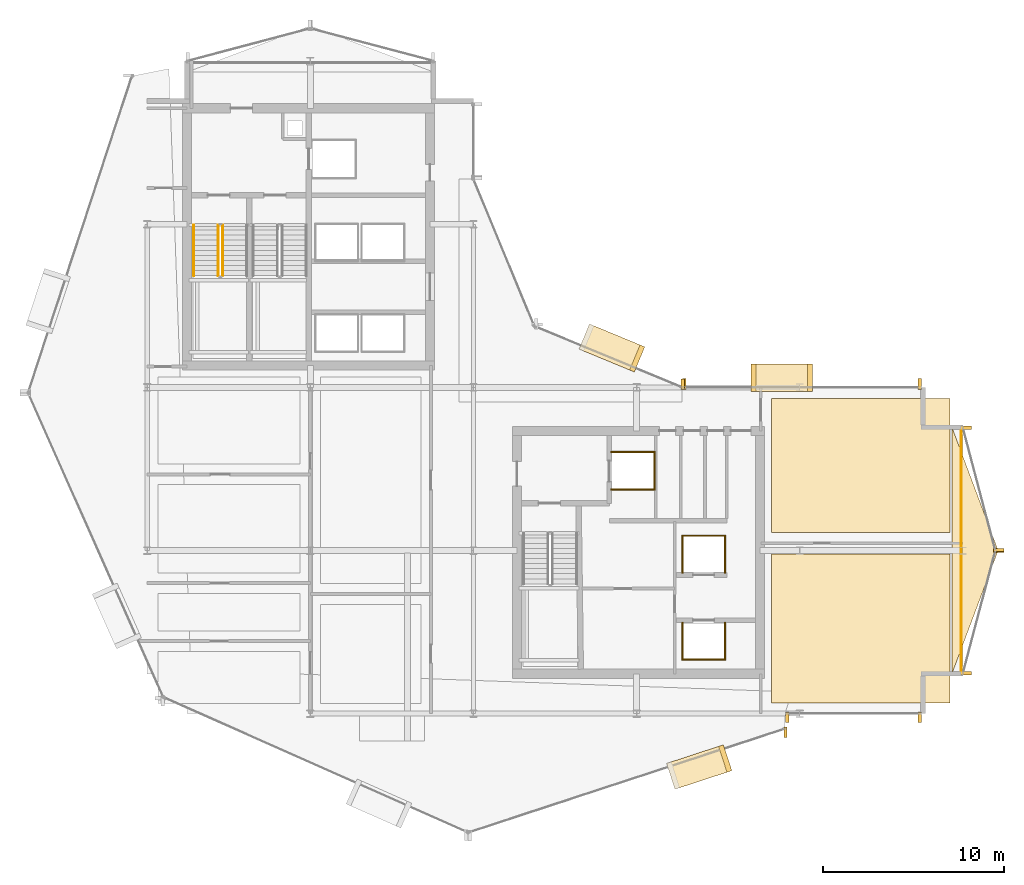
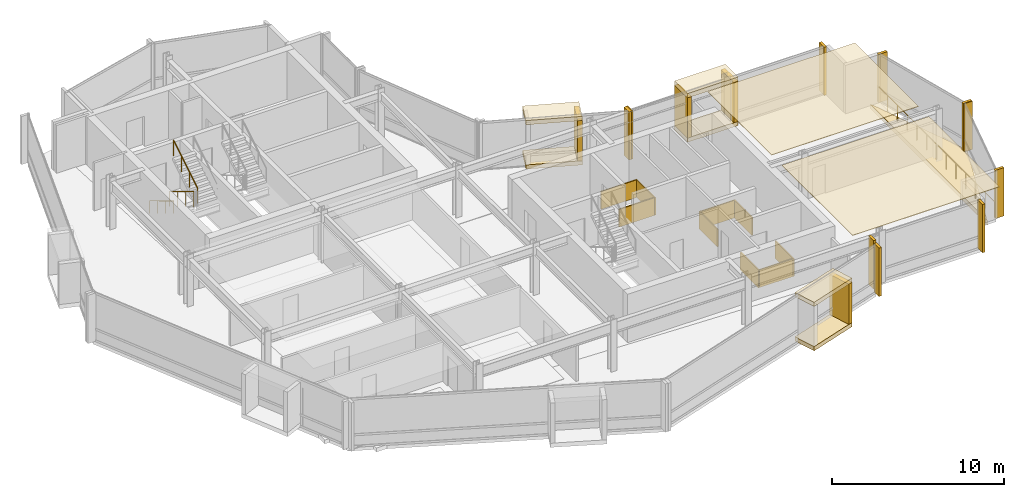
# One storey, part 26 of 27: 32 coverings, 4 railings.
"""IFC4 building model written with IfcOpenShell, lengths in metres."""

from ifc_helpers import new_model, si_unit, direction, frame, origin, origin_2d, place, context, subcontext, project, spatial, polyline, rectangle, circle, outline, extrude, material, layer, layer_set, type_object, element, save


model = new_model("IFC4")

# Units and contexts
model_context = context("Model", 3, precision=1e-05, world=origin(), true_north=direction((0.0, 1.0)))
body_context = subcontext(model_context, "Body", "Model", "MODEL_VIEW")
ifc_project = project(units=[si_unit("LENGTHUNIT", "METRE"), si_unit("AREAUNIT", "SQUARE_METRE"), si_unit("VOLUMEUNIT", "CUBIC_METRE"), si_unit("PLANEANGLEUNIT", "RADIAN"), si_unit("MASSUNIT", "GRAM", prefix="KILO")], contexts=[model_context])

# Site, building, storey
site_placement = place(None, origin())
site = spatial("IfcSite", under=ifc_project, at=site_placement, CompositionType="ELEMENT")
building_placement = place(site_placement, origin())
building = spatial("IfcBuilding", under=site, at=building_placement, Name="Solvaryn Broadcast Tower", CompositionType="ELEMENT")
storey_placement = place(building_placement, frame((0.0, 0.0, 181.60009765625)))
storey = spatial("IfcBuildingStorey", under=building, at=storey_placement, Name="L45", CompositionType="ELEMENT", Elevation=181.60009765625)

# Coverings
ifc_material_1 = material(Name="Micro-Perforated Acoustic Gypsum Ceiling", Category="concrete")
ifc_layer_1 = layer(ifc_material_1, 0.0400390625)
ifc_layer_set_1 = layer_set([ifc_layer_1], Name="CV-CEIL-ACOUSTIC")
covering_type_1 = type_object("IfcCoveringType", Name="CV-CEIL-ACOUSTIC", PredefinedType="CEILING", material=ifc_layer_set_1)
covering_1_placement = place(storey_placement, frame((0.0, 0.0, 3.3798828125)))
element("IfcCovering", 1, at=covering_1_placement, inside=storey, type_object=covering_type_1, Name="L45 Room Acoustic Ceiling 7", PredefinedType="CEILING", context=body_context, shape_type="SweptSolid", body=[
    extrude(outline(polyline([(43.449951171875, 9.60009765625), (53.300048828125, 9.60009765625), (53.300048828125, 17.800048828125), (43.449951171875, 17.800048828125), (43.449951171875, 9.60009765625)])), origin(), (0.0, 0.0, 1.0), 0.0400390625),
])
covering_2_placement = place(storey_placement, frame((0.0, 0.0, 3.3798828125)))
element("IfcCovering", 2, at=covering_2_placement, inside=storey, type_object=covering_type_1, Name="L45 Room Acoustic Ceiling 8", PredefinedType="CEILING", context=body_context, shape_type="SweptSolid", body=[
    extrude(outline(polyline([(43.449951171875, 19.0), (53.300048828125, 19.0), (53.300048828125, 26.39990234375), (43.449951171875, 26.39990234375), (43.449951171875, 19.0)])), origin(), (0.0, 0.0, 1.0), 0.0400390625),
])
ifc_material_2 = material(Name="Fire-Rated Gypsum Shaftwall Liner", Category="concrete")
ifc_layer_2 = layer(ifc_material_2, 0.080078125)
ifc_layer_set_2 = layer_set([ifc_layer_2], Name="CV-SHAFT-LINER")
covering_type_2 = type_object("IfcCoveringType", Name="CV-SHAFT-LINER", PredefinedType="CLADDING", material=ifc_layer_set_2)
for number, where, z_axis, x_axis, name in (
    (3, (35.800048828125, 23.43994140625, 0.0), (0.0, 0.0, 1.0), (1.0, 0.0, 0.0), "L45 FL2 Hoistway Shaft Liner North"),
    (4, (35.800048828125, 21.360107421875, 0.0), (0.0, 0.0, 1.0), (1.0, 0.0, 0.0), "L45 FL2 Hoistway Shaft Liner South"),
):
    element("IfcCovering", number, at=place(storey_placement, frame(where, z_axis=z_axis, x_axis=x_axis)), inside=storey, type_object=covering_type_2, Name=name, PredefinedType="CLADDING", context=body_context, shape_type="SweptSolid", body=[
        extrude(rectangle(XDim=2.4599609375, YDim=0.080078125, at=origin_2d()), origin(), (0.0, 0.0, 1.0), 1.25),
    ])
covering_3_placement = place(storey_placement, frame((36.989990234375, 22.39990234375, 0.0), z_axis=(0.0, 0.0, 1.0), x_axis=(1.0, 0.0, 0.0)))
element("IfcCovering", 5, at=covering_3_placement, inside=storey, type_object=covering_type_2, Name="L45 FL2 Hoistway Shaft Liner East", PredefinedType="CLADDING", context=body_context, shape_type="SweptSolid", body=[
    extrude(rectangle(XDim=0.080078125, YDim=2.159912109375, at=origin_2d()), origin(), (0.0, 0.0, 1.0), 1.25),
])
covering_4_placement = place(storey_placement, frame((39.699951171875, 11.985107421875, 0.0), z_axis=(0.0, 0.0, 1.0), x_axis=(1.0, 0.0, 0.0)))
element("IfcCovering", 6, at=covering_4_placement, inside=storey, type_object=covering_type_2, Name="L45 PM1 Hoistway Shaft Liner South", PredefinedType="CLADDING", context=body_context, shape_type="SweptSolid", body=[
    extrude(rectangle(XDim=2.409912109375, YDim=0.080078125, at=origin_2d()), origin(), (0.0, 0.0, 1.0), 1.25),
])
for number, where, z_axis, x_axis, name in (
    (7, (40.864990234375, 13.0, 0.0), (0.0, 0.0, 1.0), (1.0, 0.0, 0.0), "L45 PM1 Hoistway Shaft Liner East"),
    (8, (38.534912109375, 13.0, 0.0), (0.0, 0.0, 1.0), (1.0, 0.0, 0.0), "L45 PM1 Hoistway Shaft Liner West"),
):
    element("IfcCovering", number, at=place(storey_placement, frame(where, z_axis=z_axis, x_axis=x_axis)), inside=storey, type_object=covering_type_2, Name=name, PredefinedType="CLADDING", context=body_context, shape_type="SweptSolid", body=[
        extrude(rectangle(XDim=0.080078125, YDim=2.110107421875, at=origin_2d()), origin(), (0.0, 0.0, 1.0), 1.25),
    ])
covering_5_placement = place(storey_placement, frame((39.699951171875, 18.81494140625, 0.0), z_axis=(0.0, 0.0, 1.0), x_axis=(1.0, 0.0, 0.0)))
element("IfcCovering", 9, at=covering_5_placement, inside=storey, type_object=covering_type_2, Name="L45 PM2 Hoistway Shaft Liner North", PredefinedType="CLADDING", context=body_context, shape_type="SweptSolid", body=[
    extrude(rectangle(XDim=2.409912109375, YDim=0.080078125, at=origin_2d()), origin(), (0.0, 0.0, 1.0), 1.25),
])
for number, where, z_axis, x_axis, name in (
    (10, (40.864990234375, 17.800048828125, 0.0), (0.0, 0.0, 1.0), (1.0, 0.0, 0.0), "L45 PM2 Hoistway Shaft Liner East"),
    (11, (38.534912109375, 17.800048828125, 0.0), (0.0, 0.0, 1.0), (1.0, 0.0, 0.0), "L45 PM2 Hoistway Shaft Liner West"),
):
    element("IfcCovering", number, at=place(storey_placement, frame(where, z_axis=z_axis, x_axis=x_axis)), inside=storey, type_object=covering_type_2, Name=name, PredefinedType="CLADDING", context=body_context, shape_type="SweptSolid", body=[
        extrude(rectangle(XDim=0.080078125, YDim=2.110107421875, at=origin_2d()), origin(), (0.0, 0.0, 1.0), 1.25),
    ])
ifc_material_3 = material(Name="Glazed Architectural Terracotta Rainscreen Cladding", Category="masonry")
ifc_layer_3 = layer(ifc_material_3, 0.280029296875)
ifc_layer_set_3 = layer_set([ifc_layer_3], Name="CV-TC-CLAD")
covering_type_3 = type_object("IfcCoveringType", Name="CV-TC-CLAD", PredefinedType="CLADDING", material=ifc_layer_set_3)
for number, where, z_axis, x_axis, name in (
    (12, (39.4541015625, 6.054931640625, 3.1298828125), (0.0, 0.0, 1.0), (0.950244253402, 0.311505792684, 0.0), "L45 Projecting Stone Window Box Hood 4"),
    (13, (39.4541015625, 6.054931640625, -0.01025390625), (0.0, 0.0, 1.0), (0.950244253402, 0.311505792684, 0.0), "L45 Projecting Stone Window Box Sill 4"),
):
    element("IfcCovering", number, at=place(storey_placement, frame(where, z_axis=z_axis, x_axis=x_axis)), inside=storey, type_object=covering_type_3, Name=name, PredefinedType="CLADDING", context=body_context, shape_type="SweptSolid", body=[
        extrude(rectangle(XDim=3.300048828125, YDim=1.5, at=origin_2d()), origin(), (0.0, 0.0, 1.0), 0.300048828125),
    ])
covering_6_placement = place(storey_placement, frame((40.888916015625, 6.525390625, 0.27978515625), z_axis=(0.0, 0.0, 1.0), x_axis=(0.950244253402, 0.311505792684, 0.0)))
element("IfcCovering", 14, at=covering_6_placement, inside=storey, type_object=covering_type_3, Name="L45 Projecting Stone Window Box Cheek 4-2", PredefinedType="CLADDING", context=body_context, shape_type="SweptSolid", body=[
    extrude(rectangle(XDim=0.280029296875, YDim=1.5, at=origin_2d()), origin(), (0.0, 0.0, 1.0), 2.860107421875),
])
for number, where, z_axis, x_axis, name in (
    (15, (34.636962890625, 29.174072265625, 3.1298828125), (0.0, 0.0, 1.0), (-0.923879532511, 0.382683432365, 0.0), "L45 Projecting Stone Window Box Hood 5"),
    (16, (34.636962890625, 29.174072265625, -0.01025390625), (0.0, 0.0, 1.0), (-0.923879532511, 0.382683432365, 0.0), "L45 Projecting Stone Window Box Sill 5"),
):
    element("IfcCovering", number, at=place(storey_placement, frame(where, z_axis=z_axis, x_axis=x_axis)), inside=storey, type_object=covering_type_3, Name=name, PredefinedType="CLADDING", context=body_context, shape_type="SweptSolid", body=[
        extrude(rectangle(XDim=3.300048828125, YDim=1.5, at=origin_2d()), origin(), (0.0, 0.0, 1.0), 0.300048828125),
    ])
covering_7_placement = place(storey_placement, frame((36.031982421875, 28.59619140625, 0.27978515625), z_axis=(0.0, 0.0, 1.0), x_axis=(-0.923879532511, 0.382683432365, 0.0)))
element("IfcCovering", 17, at=covering_7_placement, inside=storey, type_object=covering_type_3, Name="L45 Projecting Stone Window Box Cheek 5-1", PredefinedType="CLADDING", context=body_context, shape_type="SweptSolid", body=[
    extrude(rectangle(XDim=0.280029296875, YDim=1.5, at=origin_2d()), origin(), (0.0, 0.0, 1.0), 2.860107421875),
])
for number, where, z_axis, x_axis, name in (
    (18, (44.0, 27.530029296875, 3.1298828125), (0.0, 0.0, 1.0), (1.0, 0.0, 0.0), "L45 Projecting Stone Window Box Hood 6"),
    (19, (44.0, 27.530029296875, -0.01025390625), (0.0, 0.0, 1.0), (1.0, 0.0, 0.0), "L45 Projecting Stone Window Box Sill 6"),
):
    element("IfcCovering", number, at=place(storey_placement, frame(where, z_axis=z_axis, x_axis=x_axis)), inside=storey, type_object=covering_type_3, Name=name, PredefinedType="CLADDING", context=body_context, shape_type="SweptSolid", body=[
        extrude(rectangle(XDim=3.39990234375, YDim=1.5, at=origin_2d()), origin(), (0.0, 0.0, 1.0), 0.300048828125),
    ])
for number, where, z_axis, x_axis, name in (
    (20, (42.43994140625, 27.530029296875, 0.27978515625), (0.0, 0.0, 1.0), (1.0, 0.0, 0.0), "L45 Projecting Stone Window Box Cheek 6-1"),
    (21, (45.56005859375, 27.530029296875, 0.27978515625), (0.0, 0.0, 1.0), (1.0, 0.0, 0.0), "L45 Projecting Stone Window Box Cheek 6-2"),
):
    element("IfcCovering", number, at=place(storey_placement, frame(where, z_axis=z_axis, x_axis=x_axis)), inside=storey, type_object=covering_type_3, Name=name, PredefinedType="CLADDING", context=body_context, shape_type="SweptSolid", body=[
        extrude(rectangle(XDim=0.280029296875, YDim=1.5, at=origin_2d()), origin(), (0.0, 0.0, 1.0), 2.860107421875),
    ])
ifc_material_4 = material(Name="Extruded Architectural Terracotta Fin", Category="masonry")
ifc_layer_4 = layer(ifc_material_4, 0.179931640625)
ifc_layer_set_4 = layer_set([ifc_layer_4], Name="CV-TC-FIN")
covering_type_4 = type_object("IfcCoveringType", Name="CV-TC-FIN", PredefinedType="USERDEFINED", material=ifc_layer_set_4)
for number, where, z_axis, x_axis, name in (
    (22, (44.209716796875, 7.982666015625, 0.0), (0.0, 0.0, 1.0), (1.0, 0.0, 0.0), "L45 Terracotta Vertical Fin FIN-L45-DR4-M01"),
    (23, (38.541259765625, 27.177978515625, 0.0), (0.0, 0.0, 1.0), (1.0, 0.0, 0.0), "L45 Terracotta Vertical Fin FIN-L45-CN1-M00"),
    (24, (44.31201171875, 8.8125, 0.0), (0.0, 0.0, 1.0), (1.0, 0.0, 0.0), "L45 Terracotta Vertical Fin FIN-L45-S2-M00"),
    (25, (51.6201171875, 8.8125, 0.0), (0.0, 0.0, 1.0), (1.0, 0.0, 0.0), "L45 Terracotta Vertical Fin FIN-L45-S2-M01"),
):
    element("IfcCovering", number, at=place(storey_placement, frame(where, z_axis=z_axis, x_axis=x_axis)), inside=storey, type_object=covering_type_4, Name=name, ObjectType="FIN", PredefinedType="USERDEFINED", context=body_context, shape_type="SweptSolid", body=[
        extrude(rectangle(XDim=0.179931640625, YDim=0.580078125, at=origin_2d()), origin(), (0.0, 0.0, 1.0), 3.419921875),
    ])
for number, where, z_axis, x_axis, name in (
    (26, (54.1953125, 24.77099609375, 0.0), (0.0, 0.0, 1.0), (1.0, 0.0, 0.0), "L45 Terracotta Vertical Fin FIN-L45-ET1-M00"),
    (27, (55.979736328125, 18.029052734375, 0.0), (0.0, 0.0, 1.0), (1.0, 0.0, 0.0), "L45 Terracotta Vertical Fin FIN-L45-ET1-M01"),
    (28, (55.979736328125, 17.970947265625, 0.0), (0.0, 0.0, 1.0), (1.0, 0.0, 0.0), "L45 Terracotta Vertical Fin FIN-L45-ET2-M00"),
    (29, (54.1953125, 11.22900390625, 0.0), (0.0, 0.0, 1.0), (1.0, 0.0, 0.0), "L45 Terracotta Vertical Fin FIN-L45-ET2-M01"),
):
    element("IfcCovering", number, at=place(storey_placement, frame(where, z_axis=z_axis, x_axis=x_axis)), inside=storey, type_object=covering_type_4, Name=name, ObjectType="FIN", PredefinedType="USERDEFINED", context=body_context, shape_type="SweptSolid", body=[
        extrude(rectangle(XDim=0.580078125, YDim=0.179931640625, at=origin_2d()), origin(), (0.0, 0.0, 1.0), 3.419921875),
    ])
for number, where, z_axis, x_axis, name in (
    (30, (38.6298828125, 27.1875, 0.0), (0.0, 0.0, 1.0), (1.0, 0.0, 0.0), "L45 Terracotta Vertical Fin FIN-L45-IH-M00"),
    (31, (51.6201171875, 27.1875, 0.0), (0.0, 0.0, 1.0), (1.0, 0.0, 0.0), "L45 Terracotta Vertical Fin FIN-L45-IH-M01"),
):
    element("IfcCovering", number, at=place(storey_placement, frame(where, z_axis=z_axis, x_axis=x_axis)), inside=storey, type_object=covering_type_4, Name=name, ObjectType="FIN", PredefinedType="USERDEFINED", context=body_context, shape_type="SweptSolid", body=[
        extrude(rectangle(XDim=0.179931640625, YDim=0.580078125, at=origin_2d()), origin(), (0.0, 0.0, 1.0), 3.419921875),
    ])
ifc_material_5 = material(Name="Sculpted Architectural Terracotta Wave Fascia", Category="masonry")
ifc_layer_5 = layer(ifc_material_5, 0.340087890625)
ifc_layer_set_5 = layer_set([ifc_layer_5], Name="CV-WAVE-TRAY")
covering_type_5 = type_object("IfcCoveringType", Name="CV-WAVE-TRAY", PredefinedType="CLADDING", material=ifc_layer_set_5)
covering_8_placement = place(storey_placement, frame((0.0, 0.0, -0.300048828125)))
element("IfcCovering", 32, at=covering_8_placement, inside=storey, type_object=covering_type_5, Name="L45 East Curved Wing Deck", PredefinedType="CLADDING", context=body_context, shape_type="SweptSolid", body=[
    extrude(outline(polyline([(53.39990234375, 11.199951171875), (55.949951171875, 18.0), (53.39990234375, 24.800048828125), (53.39990234375, 11.199951171875)])), origin(), (0.0, 0.0, 1.0), 0.329833984375),
])

# Railings
ifc_material_6 = material(Name="Painted Steel Stair Well Guard", Category="steel")
railing_type_1 = type_object("IfcRailingType", Name="RL-STAIR-GUARD", PredefinedType="BALUSTRADE", material=ifc_material_6)
railing_1_placement = place(storey_placement, frame((12.909912109375, 35.9599609375, 0.16796875)))
element("IfcRailing", 33, at=railing_1_placement, inside=storey, type_object=railing_type_1, Name="L45 ST1 stair guard 1", PredefinedType="BALUSTRADE", context=body_context, shape_type="SweptSolid", body=[
    extrude(circle(Radius=0.02392578125, at=origin_2d()), frame((0.0, 0.0, 1.076171875), z_axis=(0.0, -0.857242210791, 0.514913383045), x_axis=(1.0, 0.0, 0.0)), (0.0, 0.0, 1.0), 3.266357421875),
    extrude(circle(Radius=0.02099609375, at=origin_2d()), origin(), (0.0, 0.0, 1.0), 1.052001953125),
    extrude(circle(Radius=0.02099609375, at=origin_2d()), frame((0.0, -0.933349609375, 0.560546875)), (0.0, 0.0, 1.0), 1.052001953125),
    extrude(circle(Radius=0.02099609375, at=origin_2d()), frame((0.0, -1.86669921875, 1.121337890625)), (0.0, 0.0, 1.0), 1.052001953125),
    extrude(circle(Radius=0.02099609375, at=origin_2d()), frame((0.0, -2.800048828125, 1.681884765625)), (0.0, 0.0, 1.0), 1.052001953125),
])
railing_2_placement = place(storey_placement, frame((13.159912109375, 33.159912109375, 2.01806640625)))
element("IfcRailing", 34, at=railing_2_placement, inside=storey, type_object=railing_type_1, Name="L45 ST1 stair guard 3", PredefinedType="BALUSTRADE", context=body_context, shape_type="SweptSolid", body=[
    extrude(circle(Radius=0.02392578125, at=origin_2d()), frame((0.0, 0.0, 1.076171875), z_axis=(0.0, 0.857242210791, 0.514913383045), x_axis=(-1.0, 0.0, 0.0)), (0.0, 0.0, 1.0), 3.266357421875),
    extrude(circle(Radius=0.02099609375, at=origin_2d()), origin(), (0.0, 0.0, 1.0), 1.052001953125),
    extrude(circle(Radius=0.02099609375, at=origin_2d()), frame((0.0, 0.933349609375, 0.560546875)), (0.0, 0.0, 1.0), 1.052001953125),
    extrude(circle(Radius=0.02099609375, at=origin_2d()), frame((0.0, 1.86669921875, 1.121337890625)), (0.0, 0.0, 1.0), 1.052001953125),
    extrude(circle(Radius=0.02099609375, at=origin_2d()), frame((0.0, 2.800048828125, 1.681884765625)), (0.0, 0.0, 1.0), 1.052001953125),
])
ifc_material_7 = material(Name="Brushed Stainless Steel Tubular Handrail", Category="steel")
railing_type_2 = type_object("IfcRailingType", Name="RL-STAIR-HANDRAIL", PredefinedType="HANDRAIL", material=ifc_material_7)
railing_3_placement = place(storey_placement, frame((11.570068359375, 35.9599609375, 0.16796875)))
element("IfcRailing", 35, at=railing_3_placement, inside=storey, type_object=railing_type_2, Name="L45 ST1 stair handrail 1", PredefinedType="HANDRAIL", context=body_context, shape_type="SweptSolid", body=[
    extrude(circle(Radius=0.02392578125, at=origin_2d()), frame((0.0, 0.0, 0.8759765625), z_axis=(0.0, -0.857242210791, 0.514913383045), x_axis=(1.0, 0.0, 0.0)), (0.0, 0.0, 1.0), 3.266357421875),
    extrude(circle(Radius=0.02099609375, at=origin_2d()), origin(), (0.0, 0.0, 1.0), 0.851806640625),
    extrude(circle(Radius=0.02099609375, at=origin_2d()), frame((0.0, -0.933349609375, 0.560546875)), (0.0, 0.0, 1.0), 0.851806640625),
    extrude(circle(Radius=0.02099609375, at=origin_2d()), frame((0.0, -1.86669921875, 1.121337890625)), (0.0, 0.0, 1.0), 0.851806640625),
    extrude(circle(Radius=0.02099609375, at=origin_2d()), frame((0.0, -2.800048828125, 1.681884765625)), (0.0, 0.0, 1.0), 0.851806640625),
])
ifc_material_8 = material(Name="Stainless Steel and Laminated Glass Guard", Category="steel")
railing_type_3 = type_object("IfcRailingType", Name="RL-TER-1150", PredefinedType="BALUSTRADE", material=ifc_material_8)
railing_4_placement = place(storey_placement, frame((53.919921875, 11.199951171875, 0.0)))
element("IfcRailing", 36, at=railing_4_placement, inside=storey, type_object=railing_type_3, Name="L45 East Wing Spandrel Edge Guard", PredefinedType="BALUSTRADE", context=body_context, shape_type="SweptSolid", body=[
    extrude(circle(Radius=0.02392578125, at=origin_2d()), frame((0.0, 0.0, 1.1259765625), z_axis=(0.0, 1.0, 0.0), x_axis=(-1.0, 0.0, 0.0)), (0.0, 0.0, 1.0), 13.60009765625),
    extrude(circle(Radius=0.02099609375, at=origin_2d()), origin(), (0.0, 0.0, 1.0), 1.101806640625),
    extrude(circle(Radius=0.02099609375, at=origin_2d()), frame((0.0, 1.13330078125, 0.0)), (0.0, 0.0, 1.0), 1.101806640625),
    extrude(circle(Radius=0.02099609375, at=origin_2d()), frame((0.0, 2.2666015625, 0.0)), (0.0, 0.0, 1.0), 1.101806640625),
    extrude(circle(Radius=0.02099609375, at=origin_2d()), frame((0.0, 3.39990234375, 0.0)), (0.0, 0.0, 1.0), 1.101806640625),
    extrude(circle(Radius=0.02099609375, at=origin_2d()), frame((0.0, 4.533447265625, 0.0)), (0.0, 0.0, 1.0), 1.101806640625),
    extrude(circle(Radius=0.02099609375, at=origin_2d()), frame((0.0, 5.666748046875, 0.0)), (0.0, 0.0, 1.0), 1.101806640625),
    extrude(circle(Radius=0.02099609375, at=origin_2d()), frame((0.0, 6.800048828125, 0.0)), (0.0, 0.0, 1.0), 1.101806640625),
    extrude(circle(Radius=0.02099609375, at=origin_2d()), frame((0.0, 7.933349609375, 0.0)), (0.0, 0.0, 1.0), 1.101806640625),
    extrude(circle(Radius=0.02099609375, at=origin_2d()), frame((0.0, 9.066650390625, 0.0)), (0.0, 0.0, 1.0), 1.101806640625),
    extrude(circle(Radius=0.02099609375, at=origin_2d()), frame((0.0, 10.2001953125, 0.0)), (0.0, 0.0, 1.0), 1.101806640625),
    extrude(circle(Radius=0.02099609375, at=origin_2d()), frame((0.0, 11.33349609375, 0.0)), (0.0, 0.0, 1.0), 1.101806640625),
    extrude(circle(Radius=0.02099609375, at=origin_2d()), frame((0.0, 12.466796875, 0.0)), (0.0, 0.0, 1.0), 1.101806640625),
    extrude(circle(Radius=0.02099609375, at=origin_2d()), frame((0.0, 13.60009765625, 0.0)), (0.0, 0.0, 1.0), 1.101806640625),
])

save(model, "model.ifc")
